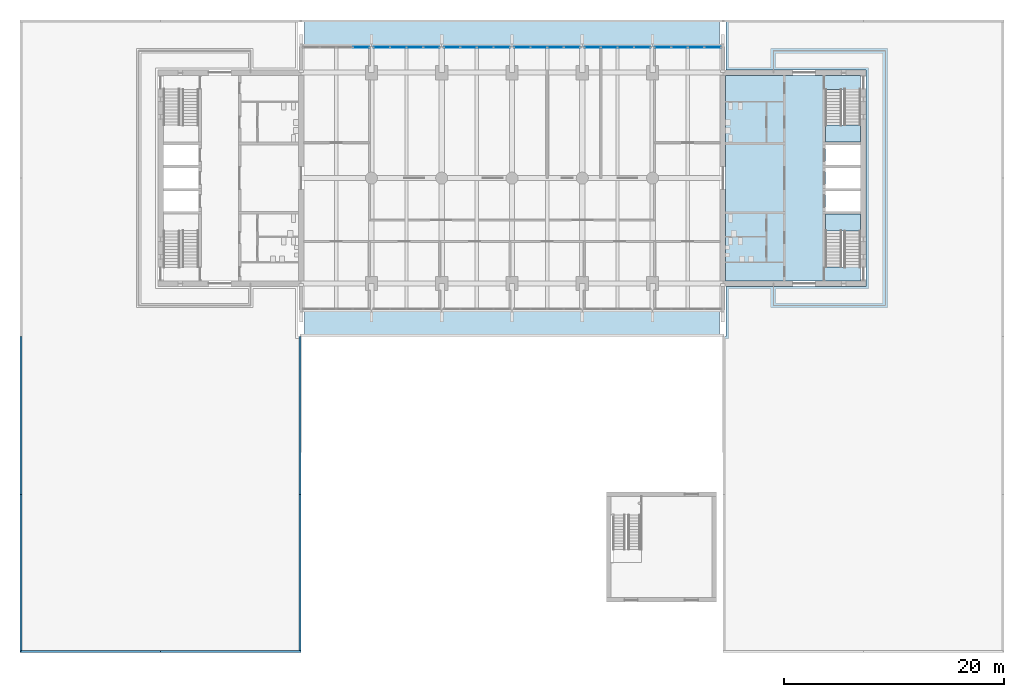
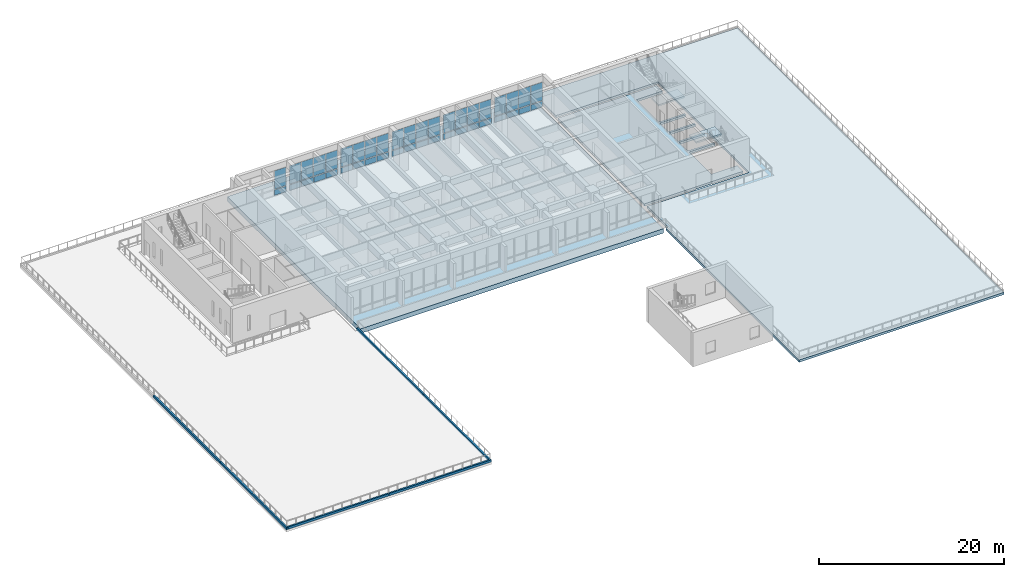
# One storey, part 9 of 21: 42 plates, 6 walls, 5 slabs, 8 elements without a shape of their own.
"""IFC4 building model written with IfcOpenShell, lengths in metres."""

from ifc_helpers import new_model, si_unit, direction, frame, frame_2d, origin, origin_2d, place, context, subcontext, project, spatial, polyline, rectangle, outline, extrude, material, layer, layer_set, type_object, element, aggregate, save


model = new_model("IFC4")

# Units and contexts
model_context = context("Model", 3, precision=1e-05, world=origin(), true_north=direction((0.0, 1.0)))
body_context = subcontext(model_context, "Body", "Model", "MODEL_VIEW")
ifc_project = project(units=[si_unit("LENGTHUNIT", "METRE"), si_unit("AREAUNIT", "SQUARE_METRE"), si_unit("VOLUMEUNIT", "CUBIC_METRE"), si_unit("PLANEANGLEUNIT", "RADIAN"), si_unit("MASSUNIT", "GRAM", prefix="KILO")], contexts=[model_context])

# Site, building, storey
site_placement = place(None, origin())
site = spatial("IfcSite", under=ifc_project, at=site_placement, CompositionType="ELEMENT")
building_placement = place(site_placement, origin())
building = spatial("IfcBuilding", under=site, at=building_placement, Name="Fogon Plaza Fire Station and Headquarters Tower", CompositionType="ELEMENT")
storey_placement = place(building_placement, frame((0.0, 0.0, 8.39990234375)))
storey = spatial("IfcBuildingStorey", under=building, at=storey_placement, Name="L02", CompositionType="ELEMENT", Elevation=8.39990234375)

# Slabs
ifc_material_1 = material(Name="Concrete C40", Category="concrete")
ifc_layer_1 = layer(ifc_material_1, 0.300048828125)
ifc_layer_set_1 = layer_set([ifc_layer_1], Name="Concrete C40")
slab_type_1 = type_object("IfcSlabType", Name="Core Floor Slab RC 300", PredefinedType="FLOOR", material=ifc_layer_set_1)
slab_1_placement = place(storey_placement, frame((0.0, 0.0, -0.2998046875)))
element("IfcSlab", 1, at=slab_1_placement, inside=storey, type_object=slab_type_1, Name="Core B floor", PredefinedType="FLOOR", context=body_context, shape_type="SweptSolid", body=[
    extrude(outline(polyline([(76.550048828125, 35.110107421875), (73.324951171875, 35.110107421875), (73.324951171875, 39.925048828125), (76.550048828125, 39.925048828125), (76.550048828125, 40.175048828125), (73.324951171875, 40.175048828125), (73.324951171875, 42.02490234375), (76.550048828125, 42.02490234375), (76.550048828125, 42.27490234375), (73.324951171875, 42.27490234375), (73.324951171875, 44.125), (76.550048828125, 44.125), (76.550048828125, 44.375), (73.324951171875, 44.375), (73.324951171875, 46.22509765625), (76.550048828125, 46.22509765625), (76.550048828125, 46.47509765625), (73.324951171875, 46.47509765625), (73.324951171875, 51.2900390625), (76.550048828125, 51.2900390625), (76.550048828125, 52.550048828125), (64.25, 52.550048828125), (64.25, 33.85009765625), (76.550048828125, 33.85009765625), (76.550048828125, 35.110107421875)])), origin(), (0.0, 0.0, 1.0), 0.2998046875),
])
ifc_material_2 = material(Name="Concrete C40", Category="concrete")
ifc_layer_2 = layer(ifc_material_2, 0.60009765625)
ifc_layer_set_2 = layer_set([ifc_layer_2], Name="Concrete C40")
slab_type_2 = type_object("IfcSlabType", Name="Floor slab 600 S60", PredefinedType="FLOOR", material=ifc_layer_set_2)
slab_2_placement = place(storey_placement, frame((0.0, 0.0, -0.599853515625)))
element("IfcSlab", 2, at=slab_2_placement, inside=storey, type_object=slab_type_2, Name="slab-L02-transfer", PredefinedType="FLOOR", context=body_context, shape_type="SweptSolid", body=[
    extrude(outline(polyline([(63.699951171875, 28.800048828125), (63.699951171875, 57.60009765625), (25.89990234375, 57.60009765625), (25.89990234375, 28.800048828125), (63.699951171875, 28.800048828125)])), origin(), (0.0, 0.0, 1.0), 0.599853515625),
])

# Curtain wall, plate
ifc_material_3 = material(Name="Aluminium and glass", Category="aluminium")
ifc_layer_3 = layer(ifc_material_3, 0.14990234375)
ifc_layer_set_3 = layer_set([ifc_layer_3], Name="Aluminium and glass")
curtain_wall_type = type_object("IfcCurtainWallType", Name="Unitised Curtain Wall Run 6100x3480", PredefinedType="NOTDEFINED", material=ifc_layer_set_3)
curtain_wall_1_placement = place(storey_placement, origin())
curtain_wall_1 = element("IfcCurtainWall", 3, at=curtain_wall_1_placement, inside=storey, type_object=curtain_wall_type, Name="CW-6100x3480 N1 L02", PredefinedType="NOTDEFINED")
ifc_material_4 = material(Name="Insulated aluminium spandrel", Category="aluminium")
ifc_layer_4 = layer(ifc_material_4, 0.06005859375)
ifc_layer_set_4 = layer_set([ifc_layer_4], Name="Insulated aluminium spandrel")
plate_type_1 = type_object("IfcPlateType", Name="Insulated Spandrel Panel", PredefinedType="CURTAIN_PANEL", material=ifc_layer_set_4)
plate_1_placement = place(storey_placement, frame((31.06494140625, 55.1201171875, 0.1201171875), z_axis=(0.0, 0.0, 1.0), x_axis=(1.0, 0.0, 0.0)))
plate_1 = element("IfcPlate", 4, at=plate_1_placement, type_object=plate_type_1, Name="SP1 panel 4.1", PredefinedType="CURTAIN_PANEL", context=body_context, shape_type="SweptSolid", body=[
    extrude(rectangle(XDim=1.449951171875, YDim=0.06005859375, at=origin_2d()), origin(), (0.0, 0.0, 1.0), 0.719970703125),
])

# Curtain wall, plates
curtain_wall_2_placement = place(storey_placement, origin())
curtain_wall_2 = element("IfcCurtainWall", 5, at=curtain_wall_2_placement, inside=storey, type_object=curtain_wall_type, Name="CW-6100x3480 N2 L02", PredefinedType="NOTDEFINED")
plate_2_placement = place(storey_placement, frame((32.93505859375, 55.1201171875, 0.1201171875), z_axis=(0.0, 0.0, 1.0), x_axis=(1.0, 0.0, 0.0)))
plate_2 = element("IfcPlate", 6, at=plate_2_placement, type_object=plate_type_1, Name="SP1 panel 1.1", PredefinedType="CURTAIN_PANEL", context=body_context, shape_type="SweptSolid", body=[
    extrude(rectangle(XDim=1.449951171875, YDim=0.06005859375, at=origin_2d()), origin(), (0.0, 0.0, 1.0), 0.719970703125),
])
plate_3_placement = place(storey_placement, frame((34.445068359375, 55.1201171875, 0.1201171875), z_axis=(0.0, 0.0, 1.0), x_axis=(1.0, 0.0, 0.0)))
plate_3 = element("IfcPlate", 7, at=plate_3_placement, type_object=plate_type_1, Name="SP1 panel 2.1", PredefinedType="CURTAIN_PANEL", context=body_context, shape_type="SweptSolid", body=[
    extrude(rectangle(XDim=1.449951171875, YDim=0.06005859375, at=origin_2d()), origin(), (0.0, 0.0, 1.0), 0.719970703125),
])
plate_4_placement = place(storey_placement, frame((35.955078125, 55.1201171875, 0.1201171875), z_axis=(0.0, 0.0, 1.0), x_axis=(1.0, 0.0, 0.0)))
plate_4 = element("IfcPlate", 8, at=plate_4_placement, type_object=plate_type_1, Name="SP1 panel 3.1", PredefinedType="CURTAIN_PANEL", context=body_context, shape_type="SweptSolid", body=[
    extrude(rectangle(XDim=1.449951171875, YDim=0.06005859375, at=origin_2d()), origin(), (0.0, 0.0, 1.0), 0.719970703125),
])
plate_5_placement = place(storey_placement, frame((37.465087890625, 55.1201171875, 0.1201171875), z_axis=(0.0, 0.0, 1.0), x_axis=(1.0, 0.0, 0.0)))
plate_5 = element("IfcPlate", 9, at=plate_5_placement, type_object=plate_type_1, Name="SP1 panel 4.1", PredefinedType="CURTAIN_PANEL", context=body_context, shape_type="SweptSolid", body=[
    extrude(rectangle(XDim=1.449951171875, YDim=0.06005859375, at=origin_2d()), origin(), (0.0, 0.0, 1.0), 0.719970703125),
])

curtain_wall_3_placement = place(storey_placement, origin())
curtain_wall_3 = element("IfcCurtainWall", 10, at=curtain_wall_3_placement, inside=storey, type_object=curtain_wall_type, Name="CW-6100x3480 N3 L02", PredefinedType="NOTDEFINED")
plate_6_placement = place(storey_placement, frame((39.3349609375, 55.1201171875, 0.1201171875), z_axis=(0.0, 0.0, 1.0), x_axis=(1.0, 0.0, 0.0)))
plate_6 = element("IfcPlate", 11, at=plate_6_placement, type_object=plate_type_1, Name="SP1 panel 1.1", PredefinedType="CURTAIN_PANEL", context=body_context, shape_type="SweptSolid", body=[
    extrude(rectangle(XDim=1.449951171875, YDim=0.06005859375, at=origin_2d()), origin(), (0.0, 0.0, 1.0), 0.719970703125),
])
plate_7_placement = place(storey_placement, frame((40.844970703125, 55.1201171875, 0.1201171875), z_axis=(0.0, 0.0, 1.0), x_axis=(1.0, 0.0, 0.0)))
plate_7 = element("IfcPlate", 12, at=plate_7_placement, type_object=plate_type_1, Name="SP1 panel 2.1", PredefinedType="CURTAIN_PANEL", context=body_context, shape_type="SweptSolid", body=[
    extrude(rectangle(XDim=1.449951171875, YDim=0.06005859375, at=origin_2d()), origin(), (0.0, 0.0, 1.0), 0.719970703125),
])
plate_8_placement = place(storey_placement, frame((42.35498046875, 55.1201171875, 0.1201171875), z_axis=(0.0, 0.0, 1.0), x_axis=(1.0, 0.0, 0.0)))
plate_8 = element("IfcPlate", 13, at=plate_8_placement, type_object=plate_type_1, Name="SP1 panel 3.1", PredefinedType="CURTAIN_PANEL", context=body_context, shape_type="SweptSolid", body=[
    extrude(rectangle(XDim=1.449951171875, YDim=0.06005859375, at=origin_2d()), origin(), (0.0, 0.0, 1.0), 0.719970703125),
])
plate_9_placement = place(storey_placement, frame((43.864990234375, 55.1201171875, 0.1201171875), z_axis=(0.0, 0.0, 1.0), x_axis=(1.0, 0.0, 0.0)))
plate_9 = element("IfcPlate", 14, at=plate_9_placement, type_object=plate_type_1, Name="SP1 panel 4.1", PredefinedType="CURTAIN_PANEL", context=body_context, shape_type="SweptSolid", body=[
    extrude(rectangle(XDim=1.449951171875, YDim=0.06005859375, at=origin_2d()), origin(), (0.0, 0.0, 1.0), 0.719970703125),
])

curtain_wall_4_placement = place(storey_placement, origin())
curtain_wall_4 = element("IfcCurtainWall", 15, at=curtain_wall_4_placement, inside=storey, type_object=curtain_wall_type, Name="CW-6100x3480 N4 L02", PredefinedType="NOTDEFINED")
plate_10_placement = place(storey_placement, frame((45.735107421875, 55.1201171875, 0.1201171875), z_axis=(0.0, 0.0, 1.0), x_axis=(1.0, 0.0, 0.0)))
plate_10 = element("IfcPlate", 16, at=plate_10_placement, type_object=plate_type_1, Name="SP1 panel 1.1", PredefinedType="CURTAIN_PANEL", context=body_context, shape_type="SweptSolid", body=[
    extrude(rectangle(XDim=1.449951171875, YDim=0.06005859375, at=origin_2d()), origin(), (0.0, 0.0, 1.0), 0.719970703125),
])
plate_11_placement = place(storey_placement, frame((47.2451171875, 55.1201171875, 0.1201171875), z_axis=(0.0, 0.0, 1.0), x_axis=(1.0, 0.0, 0.0)))
plate_11 = element("IfcPlate", 17, at=plate_11_placement, type_object=plate_type_1, Name="SP1 panel 2.1", PredefinedType="CURTAIN_PANEL", context=body_context, shape_type="SweptSolid", body=[
    extrude(rectangle(XDim=1.449951171875, YDim=0.06005859375, at=origin_2d()), origin(), (0.0, 0.0, 1.0), 0.719970703125),
])
plate_12_placement = place(storey_placement, frame((48.7548828125, 55.1201171875, 0.1201171875), z_axis=(0.0, 0.0, 1.0), x_axis=(1.0, 0.0, 0.0)))
plate_12 = element("IfcPlate", 18, at=plate_12_placement, type_object=plate_type_1, Name="SP1 panel 3.1", PredefinedType="CURTAIN_PANEL", context=body_context, shape_type="SweptSolid", body=[
    extrude(rectangle(XDim=1.449951171875, YDim=0.06005859375, at=origin_2d()), origin(), (0.0, 0.0, 1.0), 0.719970703125),
])
plate_13_placement = place(storey_placement, frame((50.264892578125, 55.1201171875, 0.1201171875), z_axis=(0.0, 0.0, 1.0), x_axis=(1.0, 0.0, 0.0)))
plate_13 = element("IfcPlate", 19, at=plate_13_placement, type_object=plate_type_1, Name="SP1 panel 4.1", PredefinedType="CURTAIN_PANEL", context=body_context, shape_type="SweptSolid", body=[
    extrude(rectangle(XDim=1.449951171875, YDim=0.06005859375, at=origin_2d()), origin(), (0.0, 0.0, 1.0), 0.719970703125),
])

curtain_wall_5_placement = place(storey_placement, origin())
curtain_wall_5 = element("IfcCurtainWall", 20, at=curtain_wall_5_placement, inside=storey, type_object=curtain_wall_type, Name="CW-6100x3480 N5 L02", PredefinedType="NOTDEFINED")
plate_14_placement = place(storey_placement, frame((52.135009765625, 55.1201171875, 0.1201171875), z_axis=(0.0, 0.0, 1.0), x_axis=(1.0, 0.0, 0.0)))
plate_14 = element("IfcPlate", 21, at=plate_14_placement, type_object=plate_type_1, Name="SP1 panel 1.1", PredefinedType="CURTAIN_PANEL", context=body_context, shape_type="SweptSolid", body=[
    extrude(rectangle(XDim=1.449951171875, YDim=0.06005859375, at=origin_2d()), origin(), (0.0, 0.0, 1.0), 0.719970703125),
])
plate_15_placement = place(storey_placement, frame((53.64501953125, 55.1201171875, 0.1201171875), z_axis=(0.0, 0.0, 1.0), x_axis=(1.0, 0.0, 0.0)))
plate_15 = element("IfcPlate", 22, at=plate_15_placement, type_object=plate_type_1, Name="SP1 panel 2.1", PredefinedType="CURTAIN_PANEL", context=body_context, shape_type="SweptSolid", body=[
    extrude(rectangle(XDim=1.449951171875, YDim=0.06005859375, at=origin_2d()), origin(), (0.0, 0.0, 1.0), 0.719970703125),
])
plate_16_placement = place(storey_placement, frame((55.155029296875, 55.1201171875, 0.1201171875), z_axis=(0.0, 0.0, 1.0), x_axis=(1.0, 0.0, 0.0)))
plate_16 = element("IfcPlate", 23, at=plate_16_placement, type_object=plate_type_1, Name="SP1 panel 3.1", PredefinedType="CURTAIN_PANEL", context=body_context, shape_type="SweptSolid", body=[
    extrude(rectangle(XDim=1.449951171875, YDim=0.06005859375, at=origin_2d()), origin(), (0.0, 0.0, 1.0), 0.719970703125),
])
plate_17_placement = place(storey_placement, frame((56.6650390625, 55.1201171875, 0.1201171875), z_axis=(0.0, 0.0, 1.0), x_axis=(1.0, 0.0, 0.0)))
plate_17 = element("IfcPlate", 24, at=plate_17_placement, type_object=plate_type_1, Name="SP1 panel 4.1", PredefinedType="CURTAIN_PANEL", context=body_context, shape_type="SweptSolid", body=[
    extrude(rectangle(XDim=1.449951171875, YDim=0.06005859375, at=origin_2d()), origin(), (0.0, 0.0, 1.0), 0.719970703125),
])

curtain_wall_6_placement = place(storey_placement, origin())
curtain_wall_6 = element("IfcCurtainWall", 25, at=curtain_wall_6_placement, inside=storey, type_object=curtain_wall_type, Name="CW-6100x3480 N6 L02", PredefinedType="NOTDEFINED")
plate_18_placement = place(storey_placement, frame((58.534912109375, 55.1201171875, 0.1201171875), z_axis=(0.0, 0.0, 1.0), x_axis=(1.0, 0.0, 0.0)))
plate_18 = element("IfcPlate", 26, at=plate_18_placement, type_object=plate_type_1, Name="SP1 panel 1.1", PredefinedType="CURTAIN_PANEL", context=body_context, shape_type="SweptSolid", body=[
    extrude(rectangle(XDim=1.449951171875, YDim=0.06005859375, at=origin_2d()), origin(), (0.0, 0.0, 1.0), 0.719970703125),
])
plate_19_placement = place(storey_placement, frame((60.044921875, 55.1201171875, 0.1201171875), z_axis=(0.0, 0.0, 1.0), x_axis=(1.0, 0.0, 0.0)))
plate_19 = element("IfcPlate", 27, at=plate_19_placement, type_object=plate_type_1, Name="SP1 panel 2.1", PredefinedType="CURTAIN_PANEL", context=body_context, shape_type="SweptSolid", body=[
    extrude(rectangle(XDim=1.449951171875, YDim=0.06005859375, at=origin_2d()), origin(), (0.0, 0.0, 1.0), 0.719970703125),
])
plate_20_placement = place(storey_placement, frame((61.554931640625, 55.1201171875, 0.1201171875), z_axis=(0.0, 0.0, 1.0), x_axis=(1.0, 0.0, 0.0)))
plate_20 = element("IfcPlate", 28, at=plate_20_placement, type_object=plate_type_1, Name="SP1 panel 3.1", PredefinedType="CURTAIN_PANEL", context=body_context, shape_type="SweptSolid", body=[
    extrude(rectangle(XDim=1.449951171875, YDim=0.06005859375, at=origin_2d()), origin(), (0.0, 0.0, 1.0), 0.719970703125),
])
plate_21_placement = place(storey_placement, frame((63.06494140625, 55.1201171875, 0.1201171875), z_axis=(0.0, 0.0, 1.0), x_axis=(1.0, 0.0, 0.0)))
plate_21 = element("IfcPlate", 29, at=plate_21_placement, type_object=plate_type_1, Name="SP1 panel 4.1", PredefinedType="CURTAIN_PANEL", context=body_context, shape_type="SweptSolid", body=[
    extrude(rectangle(XDim=1.449951171875, YDim=0.06005859375, at=origin_2d()), origin(), (0.0, 0.0, 1.0), 0.719970703125),
])

# Slab
ifc_material_5 = material(Name="Concrete C40", Category="concrete")
ifc_layer_5 = layer(ifc_material_5, 0.300048828125)
ifc_layer_set_5 = layer_set([ifc_layer_5], Name="Concrete C40")
slab_type_3 = type_object("IfcSlabType", Name="Roof slab 300 R30", PredefinedType="ROOF", material=ifc_layer_set_5)
slab_3_placement = place(storey_placement, frame((0.0, 0.0, -0.2998046875)))
element("IfcSlab", 30, at=slab_3_placement, inside=storey, type_object=slab_type_3, Name="slab-L02-E", PredefinedType="ROOF", context=body_context, shape_type="SweptSolid", body=[
    extrude(outline(polyline([(64.0, 0.0), (89.60009765625, 0.0), (89.60009765625, 57.60009765625), (64.300048828125, 57.60009765625), (64.300048828125, 53.050048828125), (77.050048828125, 53.050048828125), (77.050048828125, 33.35009765625), (64.300048828125, 33.35009765625), (64.300048828125, 28.800048828125), (64.0, 28.800048828125), (64.0, 0.0)])), origin(), (0.0, 0.0, 1.0), 0.2998046875),
])

# Stair, slab
ifc_material_6 = material(Name="Concrete C40", Category="concrete")
stair_type = type_object("IfcStairType", Name="Exit Stair Two Flights", PredefinedType="TWO_STRAIGHT_RUN_STAIR", material=ifc_material_6)
stair_1_placement = place(storey_placement, origin())
stair_1 = element("IfcStair", 31, at=stair_1_placement, inside=storey, type_object=stair_type, Name="Stair ST3", PredefinedType="TWO_STRAIGHT_RUN_STAIR")
ifc_material_7 = material(Name="Concrete C40", Category="concrete")
ifc_layer_6 = layer(ifc_material_7, 0.300048828125)
ifc_layer_set_6 = layer_set([ifc_layer_6], Name="Concrete C40")
slab_type_4 = type_object("IfcSlabType", Name="Stair Landing RC 300", PredefinedType="LANDING", material=ifc_layer_set_6)
slab_4_placement = place(storey_placement, frame((0.0, 0.0, 2.050048828125)))
slab_4 = element("IfcSlab", 32, at=slab_4_placement, type_object=slab_type_4, Name="ST3 landing L04", PredefinedType="LANDING", context=body_context, shape_type="SweptSolid", body=[
    extrude(outline(polyline([(73.324951171875, 38.375), (76.550048828125, 38.375), (76.550048828125, 39.925048828125), (73.324951171875, 39.925048828125), (73.324951171875, 38.375)])), origin(), (0.0, 0.0, 1.0), 0.199951171875),
])
aggregate(stair_1, [slab_4])

stair_2_placement = place(storey_placement, origin())
stair_2 = element("IfcStair", 33, at=stair_2_placement, inside=storey, type_object=stair_type, Name="Stair ST4", PredefinedType="TWO_STRAIGHT_RUN_STAIR")
slab_5_placement = place(storey_placement, frame((0.0, 0.0, 2.050048828125)))
slab_5 = element("IfcSlab", 34, at=slab_5_placement, type_object=slab_type_4, Name="ST4 landing L04", PredefinedType="LANDING", context=body_context, shape_type="SweptSolid", body=[
    extrude(outline(polyline([(73.324951171875, 46.47509765625), (76.550048828125, 46.47509765625), (76.550048828125, 48.02490234375), (73.324951171875, 48.02490234375), (73.324951171875, 46.47509765625)])), origin(), (0.0, 0.0, 1.0), 0.199951171875),
])
aggregate(stair_2, [slab_5])

# Plate
ifc_material_8 = material(Name="Low-e double glazing", Category="glass")
ifc_layer_7 = layer(ifc_material_8, 0.028076171875)
ifc_layer_set_7 = layer_set([ifc_layer_7], Name="Low-e double glazing")
plate_type_2 = type_object("IfcPlateType", Name="Vision Glass Panel 1450x2400", PredefinedType="CURTAIN_PANEL", material=ifc_layer_set_7)
plate_22_placement = place(storey_placement, frame((31.06494140625, 55.1201171875, 0.960205078125), z_axis=(0.0, 0.0, 1.0), x_axis=(1.0, 0.0, 0.0)))
plate_22 = element("IfcPlate", 35, at=plate_22_placement, type_object=plate_type_2, Name="VG-1450x2400 panel 4.2", PredefinedType="CURTAIN_PANEL", context=body_context, shape_type="SweptSolid", body=[
    extrude(rectangle(XDim=1.449951171875, YDim=0.028076171875, at=origin_2d()), origin(), (0.0, 0.0, 1.0), 2.39990234375),
])

aggregate(curtain_wall_1, [plate_1, plate_22])

plate_23_placement = place(storey_placement, frame((32.93505859375, 55.1201171875, 0.960205078125), z_axis=(0.0, 0.0, 1.0), x_axis=(1.0, 0.0, 0.0)))
plate_23 = element("IfcPlate", 36, at=plate_23_placement, type_object=plate_type_2, Name="VG-1450x2400 panel 1.2", PredefinedType="CURTAIN_PANEL", context=body_context, shape_type="SweptSolid", body=[
    extrude(rectangle(XDim=1.449951171875, YDim=0.028076171875, at=origin_2d()), origin(), (0.0, 0.0, 1.0), 2.39990234375),
])

plate_24_placement = place(storey_placement, frame((34.445068359375, 55.1201171875, 0.960205078125), z_axis=(0.0, 0.0, 1.0), x_axis=(1.0, 0.0, 0.0)))
plate_24 = element("IfcPlate", 37, at=plate_24_placement, type_object=plate_type_2, Name="VG-1450x2400 panel 2.2", PredefinedType="CURTAIN_PANEL", context=body_context, shape_type="SweptSolid", body=[
    extrude(rectangle(XDim=1.449951171875, YDim=0.028076171875, at=origin_2d()), origin(), (0.0, 0.0, 1.0), 2.39990234375),
])

plate_25_placement = place(storey_placement, frame((35.955078125, 55.1201171875, 0.960205078125), z_axis=(0.0, 0.0, 1.0), x_axis=(1.0, 0.0, 0.0)))
plate_25 = element("IfcPlate", 38, at=plate_25_placement, type_object=plate_type_2, Name="VG-1450x2400 panel 3.2", PredefinedType="CURTAIN_PANEL", context=body_context, shape_type="SweptSolid", body=[
    extrude(rectangle(XDim=1.449951171875, YDim=0.028076171875, at=origin_2d()), origin(), (0.0, 0.0, 1.0), 2.39990234375),
])

plate_26_placement = place(storey_placement, frame((37.465087890625, 55.1201171875, 0.960205078125), z_axis=(0.0, 0.0, 1.0), x_axis=(1.0, 0.0, 0.0)))
plate_26 = element("IfcPlate", 39, at=plate_26_placement, type_object=plate_type_2, Name="VG-1450x2400 panel 4.2", PredefinedType="CURTAIN_PANEL", context=body_context, shape_type="SweptSolid", body=[
    extrude(rectangle(XDim=1.449951171875, YDim=0.028076171875, at=origin_2d()), origin(), (0.0, 0.0, 1.0), 2.39990234375),
])

aggregate(curtain_wall_2, [plate_2, plate_23, plate_3, plate_24, plate_4, plate_25, plate_5, plate_26])

plate_27_placement = place(storey_placement, frame((39.3349609375, 55.1201171875, 0.960205078125), z_axis=(0.0, 0.0, 1.0), x_axis=(1.0, 0.0, 0.0)))
plate_27 = element("IfcPlate", 40, at=plate_27_placement, type_object=plate_type_2, Name="VG-1450x2400 panel 1.2", PredefinedType="CURTAIN_PANEL", context=body_context, shape_type="SweptSolid", body=[
    extrude(rectangle(XDim=1.449951171875, YDim=0.028076171875, at=origin_2d()), origin(), (0.0, 0.0, 1.0), 2.39990234375),
])

plate_28_placement = place(storey_placement, frame((40.844970703125, 55.1201171875, 0.960205078125), z_axis=(0.0, 0.0, 1.0), x_axis=(1.0, 0.0, 0.0)))
plate_28 = element("IfcPlate", 41, at=plate_28_placement, type_object=plate_type_2, Name="VG-1450x2400 panel 2.2", PredefinedType="CURTAIN_PANEL", context=body_context, shape_type="SweptSolid", body=[
    extrude(rectangle(XDim=1.449951171875, YDim=0.028076171875, at=origin_2d()), origin(), (0.0, 0.0, 1.0), 2.39990234375),
])

plate_29_placement = place(storey_placement, frame((42.35498046875, 55.1201171875, 0.960205078125), z_axis=(0.0, 0.0, 1.0), x_axis=(1.0, 0.0, 0.0)))
plate_29 = element("IfcPlate", 42, at=plate_29_placement, type_object=plate_type_2, Name="VG-1450x2400 panel 3.2", PredefinedType="CURTAIN_PANEL", context=body_context, shape_type="SweptSolid", body=[
    extrude(rectangle(XDim=1.449951171875, YDim=0.028076171875, at=origin_2d()), origin(), (0.0, 0.0, 1.0), 2.39990234375),
])

plate_30_placement = place(storey_placement, frame((43.864990234375, 55.1201171875, 0.960205078125), z_axis=(0.0, 0.0, 1.0), x_axis=(1.0, 0.0, 0.0)))
plate_30 = element("IfcPlate", 43, at=plate_30_placement, type_object=plate_type_2, Name="VG-1450x2400 panel 4.2", PredefinedType="CURTAIN_PANEL", context=body_context, shape_type="SweptSolid", body=[
    extrude(rectangle(XDim=1.449951171875, YDim=0.028076171875, at=origin_2d()), origin(), (0.0, 0.0, 1.0), 2.39990234375),
])

aggregate(curtain_wall_3, [plate_6, plate_27, plate_7, plate_28, plate_8, plate_29, plate_9, plate_30])

plate_31_placement = place(storey_placement, frame((45.735107421875, 55.1201171875, 0.960205078125), z_axis=(0.0, 0.0, 1.0), x_axis=(1.0, 0.0, 0.0)))
plate_31 = element("IfcPlate", 44, at=plate_31_placement, type_object=plate_type_2, Name="VG-1450x2400 panel 1.2", PredefinedType="CURTAIN_PANEL", context=body_context, shape_type="SweptSolid", body=[
    extrude(rectangle(XDim=1.449951171875, YDim=0.028076171875, at=origin_2d()), origin(), (0.0, 0.0, 1.0), 2.39990234375),
])

plate_32_placement = place(storey_placement, frame((47.2451171875, 55.1201171875, 0.960205078125), z_axis=(0.0, 0.0, 1.0), x_axis=(1.0, 0.0, 0.0)))
plate_32 = element("IfcPlate", 45, at=plate_32_placement, type_object=plate_type_2, Name="VG-1450x2400 panel 2.2", PredefinedType="CURTAIN_PANEL", context=body_context, shape_type="SweptSolid", body=[
    extrude(rectangle(XDim=1.449951171875, YDim=0.028076171875, at=origin_2d()), origin(), (0.0, 0.0, 1.0), 2.39990234375),
])

plate_33_placement = place(storey_placement, frame((48.7548828125, 55.1201171875, 0.960205078125), z_axis=(0.0, 0.0, 1.0), x_axis=(1.0, 0.0, 0.0)))
plate_33 = element("IfcPlate", 46, at=plate_33_placement, type_object=plate_type_2, Name="VG-1450x2400 panel 3.2", PredefinedType="CURTAIN_PANEL", context=body_context, shape_type="SweptSolid", body=[
    extrude(rectangle(XDim=1.449951171875, YDim=0.028076171875, at=origin_2d()), origin(), (0.0, 0.0, 1.0), 2.39990234375),
])

plate_34_placement = place(storey_placement, frame((50.264892578125, 55.1201171875, 0.960205078125), z_axis=(0.0, 0.0, 1.0), x_axis=(1.0, 0.0, 0.0)))
plate_34 = element("IfcPlate", 47, at=plate_34_placement, type_object=plate_type_2, Name="VG-1450x2400 panel 4.2", PredefinedType="CURTAIN_PANEL", context=body_context, shape_type="SweptSolid", body=[
    extrude(rectangle(XDim=1.449951171875, YDim=0.028076171875, at=origin_2d()), origin(), (0.0, 0.0, 1.0), 2.39990234375),
])

aggregate(curtain_wall_4, [plate_10, plate_31, plate_11, plate_32, plate_12, plate_33, plate_13, plate_34])

plate_35_placement = place(storey_placement, frame((52.135009765625, 55.1201171875, 0.960205078125), z_axis=(0.0, 0.0, 1.0), x_axis=(1.0, 0.0, 0.0)))
plate_35 = element("IfcPlate", 48, at=plate_35_placement, type_object=plate_type_2, Name="VG-1450x2400 panel 1.2", PredefinedType="CURTAIN_PANEL", context=body_context, shape_type="SweptSolid", body=[
    extrude(rectangle(XDim=1.449951171875, YDim=0.028076171875, at=origin_2d()), origin(), (0.0, 0.0, 1.0), 2.39990234375),
])

plate_36_placement = place(storey_placement, frame((53.64501953125, 55.1201171875, 0.960205078125), z_axis=(0.0, 0.0, 1.0), x_axis=(1.0, 0.0, 0.0)))
plate_36 = element("IfcPlate", 49, at=plate_36_placement, type_object=plate_type_2, Name="VG-1450x2400 panel 2.2", PredefinedType="CURTAIN_PANEL", context=body_context, shape_type="SweptSolid", body=[
    extrude(rectangle(XDim=1.449951171875, YDim=0.028076171875, at=origin_2d()), origin(), (0.0, 0.0, 1.0), 2.39990234375),
])

plate_37_placement = place(storey_placement, frame((55.155029296875, 55.1201171875, 0.960205078125), z_axis=(0.0, 0.0, 1.0), x_axis=(1.0, 0.0, 0.0)))
plate_37 = element("IfcPlate", 50, at=plate_37_placement, type_object=plate_type_2, Name="VG-1450x2400 panel 3.2", PredefinedType="CURTAIN_PANEL", context=body_context, shape_type="SweptSolid", body=[
    extrude(rectangle(XDim=1.449951171875, YDim=0.028076171875, at=origin_2d()), origin(), (0.0, 0.0, 1.0), 2.39990234375),
])

plate_38_placement = place(storey_placement, frame((56.6650390625, 55.1201171875, 0.960205078125), z_axis=(0.0, 0.0, 1.0), x_axis=(1.0, 0.0, 0.0)))
plate_38 = element("IfcPlate", 51, at=plate_38_placement, type_object=plate_type_2, Name="VG-1450x2400 panel 4.2", PredefinedType="CURTAIN_PANEL", context=body_context, shape_type="SweptSolid", body=[
    extrude(rectangle(XDim=1.449951171875, YDim=0.028076171875, at=origin_2d()), origin(), (0.0, 0.0, 1.0), 2.39990234375),
])

aggregate(curtain_wall_5, [plate_14, plate_35, plate_15, plate_36, plate_16, plate_37, plate_17, plate_38])

plate_39_placement = place(storey_placement, frame((58.534912109375, 55.1201171875, 0.960205078125), z_axis=(0.0, 0.0, 1.0), x_axis=(1.0, 0.0, 0.0)))
plate_39 = element("IfcPlate", 52, at=plate_39_placement, type_object=plate_type_2, Name="VG-1450x2400 panel 1.2", PredefinedType="CURTAIN_PANEL", context=body_context, shape_type="SweptSolid", body=[
    extrude(rectangle(XDim=1.449951171875, YDim=0.028076171875, at=origin_2d()), origin(), (0.0, 0.0, 1.0), 2.39990234375),
])

plate_40_placement = place(storey_placement, frame((60.044921875, 55.1201171875, 0.960205078125), z_axis=(0.0, 0.0, 1.0), x_axis=(1.0, 0.0, 0.0)))
plate_40 = element("IfcPlate", 53, at=plate_40_placement, type_object=plate_type_2, Name="VG-1450x2400 panel 2.2", PredefinedType="CURTAIN_PANEL", context=body_context, shape_type="SweptSolid", body=[
    extrude(rectangle(XDim=1.449951171875, YDim=0.028076171875, at=origin_2d()), origin(), (0.0, 0.0, 1.0), 2.39990234375),
])

plate_41_placement = place(storey_placement, frame((61.554931640625, 55.1201171875, 0.960205078125), z_axis=(0.0, 0.0, 1.0), x_axis=(1.0, 0.0, 0.0)))
plate_41 = element("IfcPlate", 54, at=plate_41_placement, type_object=plate_type_2, Name="VG-1450x2400 panel 3.2", PredefinedType="CURTAIN_PANEL", context=body_context, shape_type="SweptSolid", body=[
    extrude(rectangle(XDim=1.449951171875, YDim=0.028076171875, at=origin_2d()), origin(), (0.0, 0.0, 1.0), 2.39990234375),
])

plate_42_placement = place(storey_placement, frame((63.06494140625, 55.1201171875, 0.960205078125), z_axis=(0.0, 0.0, 1.0), x_axis=(1.0, 0.0, 0.0)))
plate_42 = element("IfcPlate", 55, at=plate_42_placement, type_object=plate_type_2, Name="VG-1450x2400 panel 4.2", PredefinedType="CURTAIN_PANEL", context=body_context, shape_type="SweptSolid", body=[
    extrude(rectangle(XDim=1.449951171875, YDim=0.028076171875, at=origin_2d()), origin(), (0.0, 0.0, 1.0), 2.39990234375),
])

aggregate(curtain_wall_6, [plate_18, plate_39, plate_19, plate_40, plate_20, plate_41, plate_21, plate_42])

# Walls
ifc_material_9 = material(Name="Concrete C40", Category="concrete")
ifc_layer_8 = layer(ifc_material_9, 0.199951171875)
ifc_layer_set_8 = layer_set([ifc_layer_8], Name="Concrete C40")
wall_type = type_object("IfcWallType", Name="Upstand Kerb RC 200x300", PredefinedType="PARAPET", material=ifc_layer_set_8)
wall_1_placement = place(storey_placement, frame((25.5, 28.800048828125, 0.0), z_axis=(0.0, 0.0, 1.0), x_axis=(0.0, -1.0, 0.0)))
element("IfcWall", 56, at=wall_1_placement, inside=storey, type_object=wall_type, Name="wall-L02-UKW001", PredefinedType="PARAPET", context=body_context, shape_type="SweptSolid", body=[
    extrude(rectangle(XDim=14.400146484375, YDim=0.199951171875, at=frame_2d((7.2001953125, 0.0))), origin(), (0.0, 0.0, 1.0), 0.300048828125),
])
wall_2_placement = place(storey_placement, frame((25.5, 14.39990234375, 0.0), z_axis=(0.0, 0.0, 1.0), x_axis=(0.0, -1.0, 0.0)))
element("IfcWall", 57, at=wall_2_placement, inside=storey, type_object=wall_type, Name="wall-L02-UKW002", PredefinedType="PARAPET", context=body_context, shape_type="SweptSolid", body=[
    extrude(rectangle(XDim=14.2998046875, YDim=0.199951171875, at=frame_2d((7.14990234375, 0.0))), origin(), (0.0, 0.0, 1.0), 0.300048828125),
])
wall_3_placement = place(storey_placement, frame((25.60009765625, 0.10009765625, 0.0), z_axis=(0.0, 0.0, 1.0), x_axis=(-1.0, 0.0, 0.0)))
element("IfcWall", 58, at=wall_3_placement, inside=storey, type_object=wall_type, Name="wall-L02-UKW003", PredefinedType="PARAPET", context=body_context, shape_type="SweptSolid", body=[
    extrude(rectangle(XDim=12.800048828125, YDim=0.199951171875, at=frame_2d((6.39990234375, 0.0))), origin(), (0.0, 0.0, 1.0), 0.300048828125),
])
wall_4_placement = place(storey_placement, frame((12.800048828125, 0.10009765625, 0.0), z_axis=(0.0, 0.0, 1.0), x_axis=(-1.0, 0.0, 0.0)))
element("IfcWall", 59, at=wall_4_placement, inside=storey, type_object=wall_type, Name="wall-L02-UKW004", PredefinedType="PARAPET", context=body_context, shape_type="SweptSolid", body=[
    extrude(rectangle(XDim=12.699951171875, YDim=0.199951171875, at=frame_2d((6.35009765625, 0.0))), origin(), (0.0, 0.0, 1.0), 0.300048828125),
])
wall_5_placement = place(storey_placement, frame((0.10009765625, 0.0, 0.0), z_axis=(0.0, 0.0, 1.0), x_axis=(0.0, 1.0, 0.0)))
element("IfcWall", 60, at=wall_5_placement, inside=storey, type_object=wall_type, Name="wall-L02-UKW005", PredefinedType="PARAPET", context=body_context, shape_type="SweptSolid", body=[
    extrude(rectangle(XDim=14.39990234375, YDim=0.199951171875, at=frame_2d((7.199951171875, 0.0))), origin(), (0.0, 0.0, 1.0), 0.300048828125),
])
wall_6_placement = place(storey_placement, frame((0.10009765625, 14.39990234375, 0.0), z_axis=(0.0, 0.0, 1.0), x_axis=(0.0, 1.0, 0.0)))
element("IfcWall", 61, at=wall_6_placement, inside=storey, type_object=wall_type, Name="wall-L02-UKW006", PredefinedType="PARAPET", context=body_context, shape_type="SweptSolid", body=[
    extrude(rectangle(XDim=14.400146484375, YDim=0.199951171875, at=frame_2d((7.2001953125, 0.0))), origin(), (0.0, 0.0, 1.0), 0.300048828125),
])

save(model, "model.ifc")
